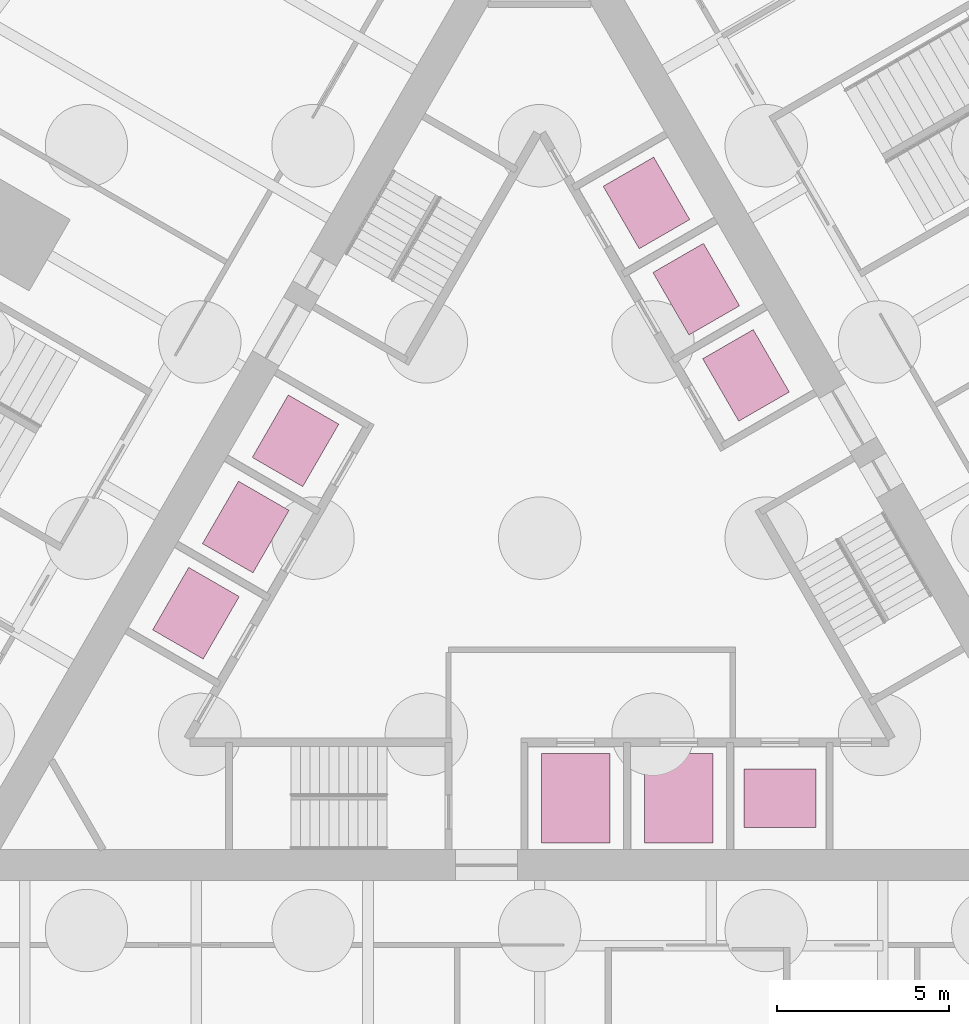
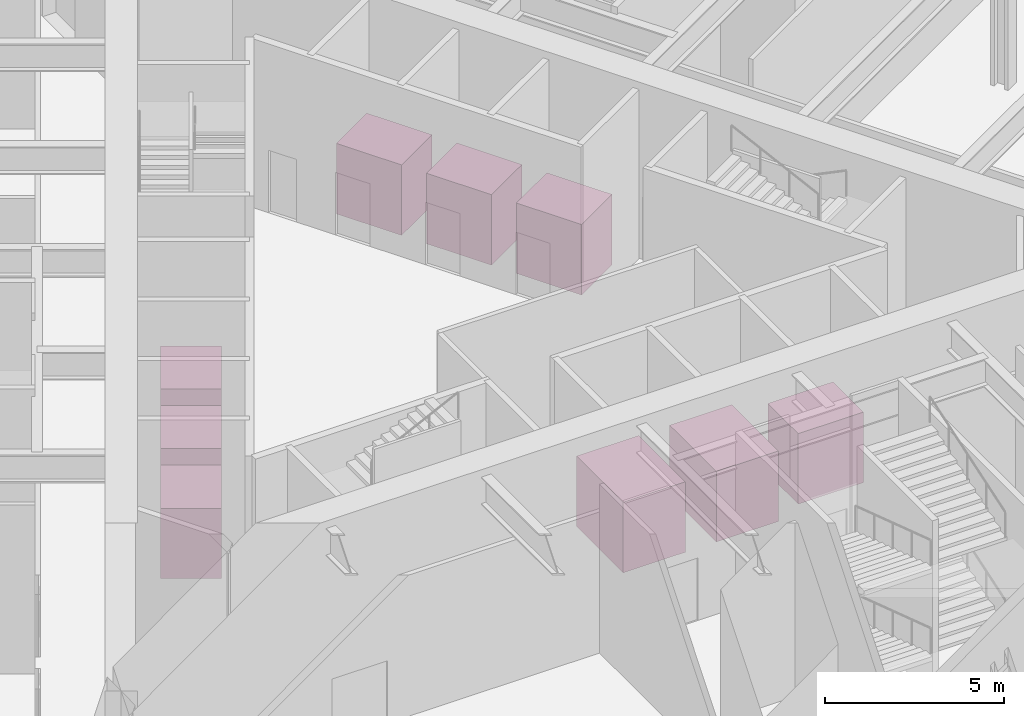
# One storey, part 17 of 17: 9 transport elements.
"""IFC4 building model written with IfcOpenShell, lengths in metres."""

from ifc_helpers import new_model, si_unit, direction, frame, origin, origin_2d, place, context, subcontext, project, spatial, rectangle, extrude, material, type_object, element, save


model = new_model("IFC4")

# Units and contexts
model_context = context("Model", 3, precision=1e-05, world=origin(), true_north=direction((0.0, 1.0)))
body_context = subcontext(model_context, "Body", "Model", "MODEL_VIEW")
ifc_project = project(units=[si_unit("LENGTHUNIT", "METRE"), si_unit("AREAUNIT", "SQUARE_METRE"), si_unit("VOLUMEUNIT", "CUBIC_METRE"), si_unit("PLANEANGLEUNIT", "RADIAN"), si_unit("MASSUNIT", "GRAM", prefix="KILO")], contexts=[model_context])

# Site, building, storey
site_placement = place(None, origin())
site = spatial("IfcSite", under=ifc_project, at=site_placement, CompositionType="ELEMENT")
building_placement = place(site_placement, origin())
building = spatial("IfcBuilding", under=site, at=building_placement, Name="Trikona Tower", CompositionType="ELEMENT")
storey_placement = place(building_placement, origin())
storey = spatial("IfcBuildingStorey", under=building, at=storey_placement, Name="L00", CompositionType="ELEMENT", Elevation=0.0)

# Transport elements
ifc_material_1 = material(Name="Lift car, stainless steel", Category="steel")
transport_element_type_1 = type_object("IfcTransportElementType", Name="Fire service access lift", PredefinedType="ELEVATOR", material=ifc_material_1)
for number, where, z_axis, x_axis, name in (
    (1, (1.050048828125, -7.576416015625, 0.0), (0.0, 0.0, 1.0), (1.0, 0.0, 0.0), "Lift FF1 Fire service access lift"),
    (2, (4.050048828125, -7.576416015625, 0.0), (0.0, 0.0, 1.0), (1.0, 0.0, 0.0), "Lift FF2 Fire service access lift"),
):
    element("IfcTransportElement", number, at=place(storey_placement, frame(where, z_axis=z_axis, x_axis=x_axis)), inside=storey, type_object=transport_element_type_1, Name=name, PredefinedType="ELEVATOR", context=body_context, shape_type="SweptSolid", body=[
        extrude(rectangle(XDim=2.0, YDim=2.60009765625, at=origin_2d()), origin(), (0.0, 0.0, 1.0), 2.39990234375),
    ])
ifc_material_2 = material(Name="Lift car, stainless steel", Category="steel")
transport_element_type_2 = type_object("IfcTransportElementType", Name="Low-rise guest lift", PredefinedType="ELEVATOR", material=ifc_material_2)
for number, where, z_axis, x_axis, name in (
    (3, (6.01123046875, 4.74072265625, 0.0), (0.0, 0.0, 1.0), (-0.5, 0.866025403784, 0.0), "Lift L1-1 Low-rise guest lift"),
    (4, (4.561279296875, 7.252197265625, 0.0), (0.0, 0.0, 1.0), (-0.5, 0.866025403784, 0.0), "Lift L1-2 Low-rise guest lift"),
    (5, (3.111328125, 9.763671875, 0.0), (0.0, 0.0, 1.0), (-0.5, 0.866025403784, 0.0), "Lift L1-3 Low-rise guest lift"),
):
    element("IfcTransportElement", number, at=place(storey_placement, frame(where, z_axis=z_axis, x_axis=x_axis)), inside=storey, type_object=transport_element_type_2, Name=name, PredefinedType="ELEVATOR", context=body_context, shape_type="SweptSolid", body=[
        extrude(rectangle(XDim=2.10009765625, YDim=1.699951171875, at=origin_2d()), origin(), (0.0, 0.0, 1.0), 2.39990234375),
    ])
ifc_material_3 = material(Name="Lift car, stainless steel", Category="steel")
transport_element_type_3 = type_object("IfcTransportElementType", Name="Observation express lift", PredefinedType="ELEVATOR", material=ifc_material_3)
for number, where, z_axis, x_axis, name in (
    (6, (7.0, -7.576416015625, 0.0), (0.0, 0.0, 1.0), (1.0, 0.0, 0.0), "Lift OB1 Observation express lift"),
    (7, (-10.01123046875, -2.1875, 0.0), (0.0, 0.0, 1.0), (-0.5, -0.866025403784, 0.0), "Lift OB2 Observation express lift"),
):
    element("IfcTransportElement", number, at=place(storey_placement, frame(where, z_axis=z_axis, x_axis=x_axis)), inside=storey, type_object=transport_element_type_3, Name=name, PredefinedType="ELEVATOR", context=body_context, shape_type="SweptSolid", body=[
        extrude(rectangle(XDim=2.10009765625, YDim=1.699951171875, at=origin_2d()), origin(), (0.0, 0.0, 1.0), 2.39990234375),
    ])
ifc_material_4 = material(Name="Lift car, stainless steel", Category="steel")
transport_element_type_4 = type_object("IfcTransportElementType", Name="Sky lobby shuttle lift", PredefinedType="ELEVATOR", material=ifc_material_4)
for number, where, z_axis, x_axis, name in (
    (8, (-7.111328125, 2.83544921875, 0.0), (0.0, 0.0, 1.0), (-0.5, -0.866025403784, 0.0), "Lift SH1 Sky lobby shuttle lift"),
    (9, (-8.561279296875, 0.323974609375, 0.0), (0.0, 0.0, 1.0), (-0.5, -0.866025403784, 0.0), "Lift SH2 Sky lobby shuttle lift"),
):
    element("IfcTransportElement", number, at=place(storey_placement, frame(where, z_axis=z_axis, x_axis=x_axis)), inside=storey, type_object=transport_element_type_4, Name=name, PredefinedType="ELEVATOR", context=body_context, shape_type="SweptSolid", body=[
        extrude(rectangle(XDim=2.10009765625, YDim=1.699951171875, at=origin_2d()), origin(), (0.0, 0.0, 1.0), 2.39990234375),
    ])

save(model, "model.ifc")
